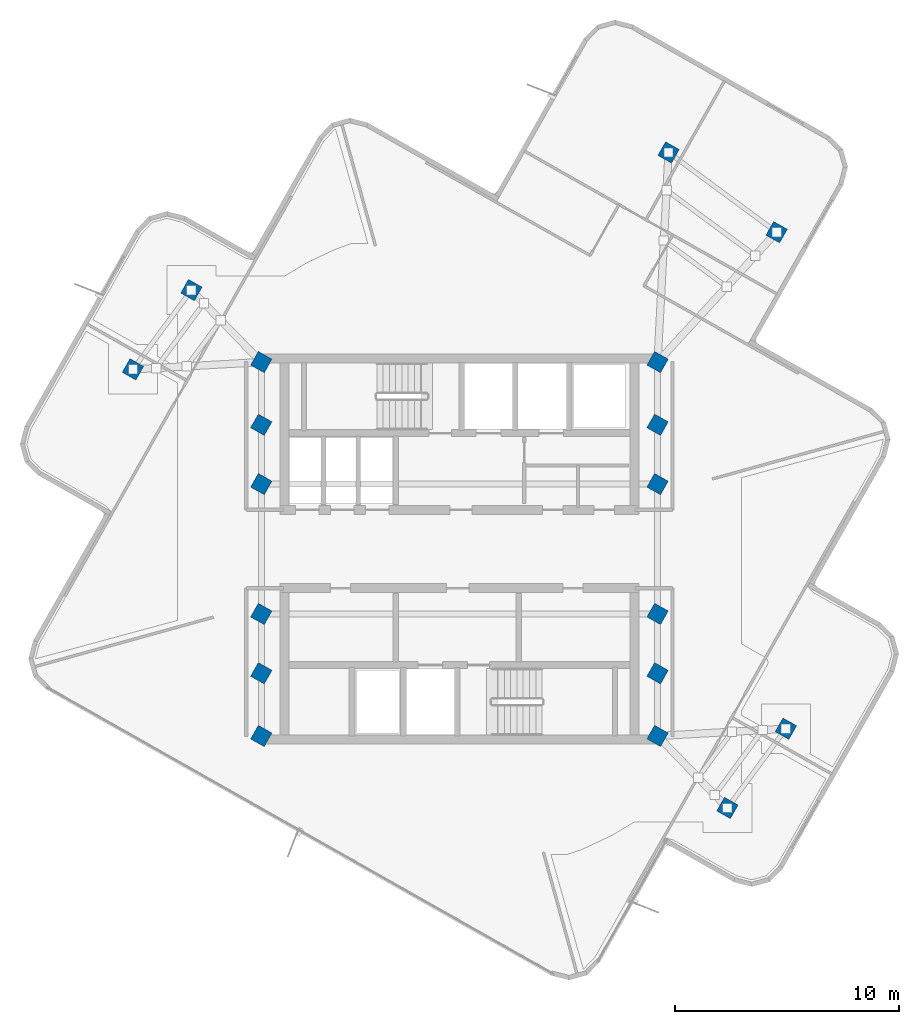
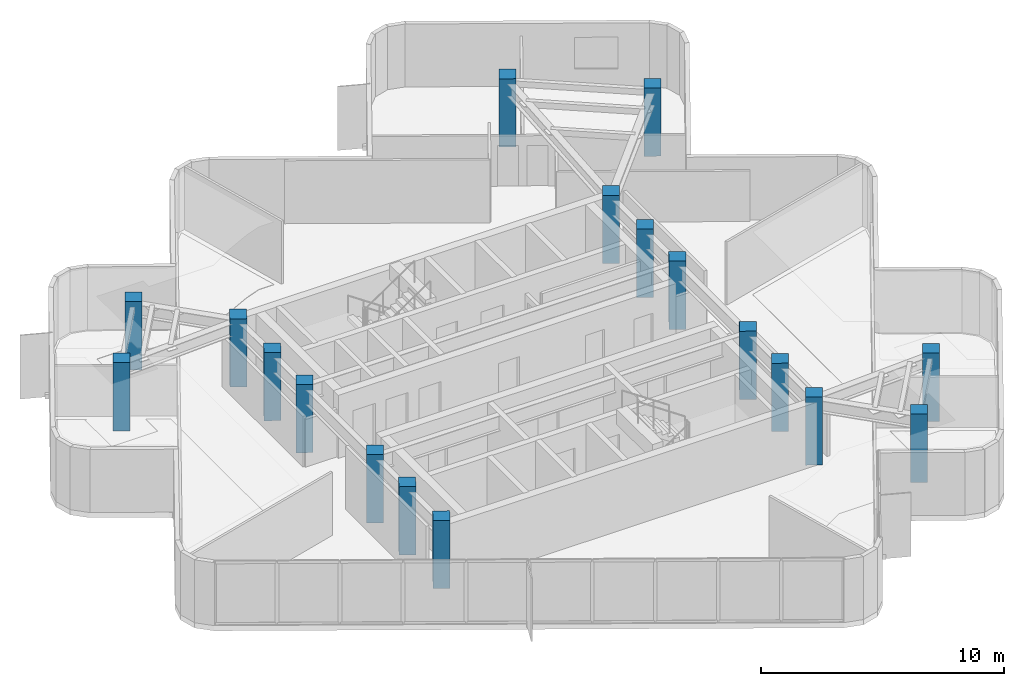
# One storey, part 1 of 9: 18 columns.
"""IFC4 building model written with IfcOpenShell, lengths in metres."""

from ifc_helpers import new_model, si_unit, direction, frame, origin, origin_2d, place, context, subcontext, project, spatial, rectangle, extrude, material, material_profile, profile_set, type_object, element, save


model = new_model("IFC4")

# Units and contexts
model_context = context("Model", 3, precision=1e-05, world=origin(), true_north=direction((0.0, 1.0)))
body_context = subcontext(model_context, "Body", "Model", "MODEL_VIEW")
ifc_project = project(units=[si_unit("LENGTHUNIT", "METRE"), si_unit("AREAUNIT", "SQUARE_METRE"), si_unit("VOLUMEUNIT", "CUBIC_METRE"), si_unit("PLANEANGLEUNIT", "RADIAN"), si_unit("MASSUNIT", "GRAM", prefix="KILO")], contexts=[model_context])

# Site, building, storey
site_placement = place(None, origin())
site = spatial("IfcSite", under=ifc_project, at=site_placement, CompositionType="ELEMENT")
building_placement = place(site_placement, origin())
building = spatial("IfcBuilding", under=site, at=building_placement, Name="Solmarez Civic Tower", CompositionType="ELEMENT")
storey_placement = place(building_placement, frame((0.0, 0.0, 278.280029296875)))
storey = spatial("IfcBuildingStorey", under=building, at=storey_placement, Name="L75", CompositionType="ELEMENT", Elevation=278.280029296875)

# Columns
ifc_material = material(Name="Concrete C50/60", Category="concrete")
ifc_material_profile = material_profile(ifc_material, rectangle(XDim=0.699951171875, YDim=0.699951171875, at=origin_2d()), Name="RC700X700")
ifc_profile_set = profile_set([ifc_material_profile], Name="Concrete C50/60")
column_type = type_object("IfcColumnType", Name="COL-RC700", PredefinedType="COLUMN", material=ifc_profile_set)
for number, where, z_axis, x_axis, name in (
    (1, (-8.85009765625, -5.550048828125, 0.0), (0.0, 0.0, 1.0), (0.492727341548, 0.87018375467, 0.0), "L75 Structural Column HC1"),
    (2, (-8.85009765625, -2.89990234375, 0.0), (0.0, 0.0, 1.0), (0.492727341548, 0.87018375467, 0.0), "L75 Structural Column HC2"),
    (3, (-8.85009765625, 2.89990234375, 0.0), (0.0, 0.0, 1.0), (0.492727341548, 0.87018375467, 0.0), "L75 Structural Column HC3"),
    (4, (-8.85009765625, 5.550048828125, 0.0), (0.0, 0.0, 1.0), (0.492727341548, 0.87018375467, 0.0), "L75 Structural Column HC4"),
    (5, (8.85009765625, -5.550048828125, 0.0), (0.0, 0.0, 1.0), (0.492727341548, 0.87018375467, 0.0), "L75 Structural Column HC5"),
    (6, (8.85009765625, -2.89990234375, 0.0), (0.0, 0.0, 1.0), (0.492727341548, 0.87018375467, 0.0), "L75 Structural Column HC6"),
    (7, (8.85009765625, 2.89990234375, 0.0), (0.0, 0.0, 1.0), (0.492727341548, 0.87018375467, 0.0), "L75 Structural Column HC7"),
    (8, (8.85009765625, 5.550048828125, 0.0), (0.0, 0.0, 1.0), (0.492727341548, 0.87018375467, 0.0), "L75 Structural Column HC8"),
    (9, (-8.85009765625, 8.35009765625, 0.0), (0.0, 0.0, 1.0), (0.492727341548, 0.87018375467, 0.0), "L75 Structural Column HC9"),
    (10, (8.85009765625, -8.35009765625, 0.0), (0.0, 0.0, 1.0), (0.492727341548, 0.87018375467, 0.0), "L75 Structural Column HC10"),
    (11, (8.85009765625, 8.35009765625, 0.0), (0.0, 0.0, 1.0), (0.492727341548, 0.87018375467, 0.0), "L75 Structural Column HC11"),
    (12, (-8.85009765625, -8.35009765625, 0.0), (0.0, 0.0, 1.0), (0.492727341548, 0.87018375467, 0.0), "L75 Structural Column HC12"),
    (13, (14.1689453125, 14.152099609375, 0.0), (0.0, 0.0, 1.0), (0.492727341548, 0.87018375467, 0.0), "L75 Structural Column EA11"),
    (14, (9.341064453125, 17.714111328125, 0.0), (0.0, 0.0, 1.0), (0.492727341548, 0.87018375467, 0.0), "L75 Structural Column EA12"),
    (15, (-11.970947265625, 11.56591796875, 0.0), (0.0, 0.0, 1.0), (0.492727341548, 0.87018375467, 0.0), "L75 Structural Column NA11"),
    (16, (-14.5830078125, 8.02587890625, 0.0), (0.0, 0.0, 1.0), (0.492727341548, 0.87018375467, 0.0), "L75 Structural Column NA12"),
    (17, (11.970947265625, -11.56591796875, 0.0), (0.0, 0.0, 1.0), (0.492727341548, 0.87018375467, 0.0), "L75 Structural Column SA11"),
    (18, (14.5830078125, -8.02587890625, 0.0), (0.0, 0.0, 1.0), (0.492727341548, 0.87018375467, 0.0), "L75 Structural Column SA12"),
):
    element("IfcColumn", number, at=place(storey_placement, frame(where, z_axis=z_axis, x_axis=x_axis)), inside=storey, type_object=column_type, Name=name, PredefinedType="COLUMN", context=body_context, shape_type="SweptSolid", body=[
        extrude(rectangle(XDim=0.699951171875, YDim=0.699951171875, at=origin_2d()), origin(), (0.0, 0.0, 1.0), 3.419921875),
    ])

save(model, "model.ifc")
